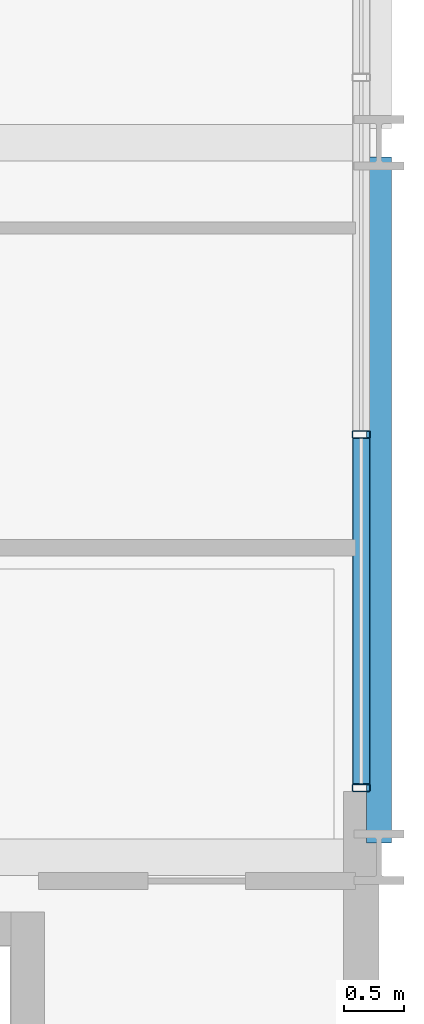
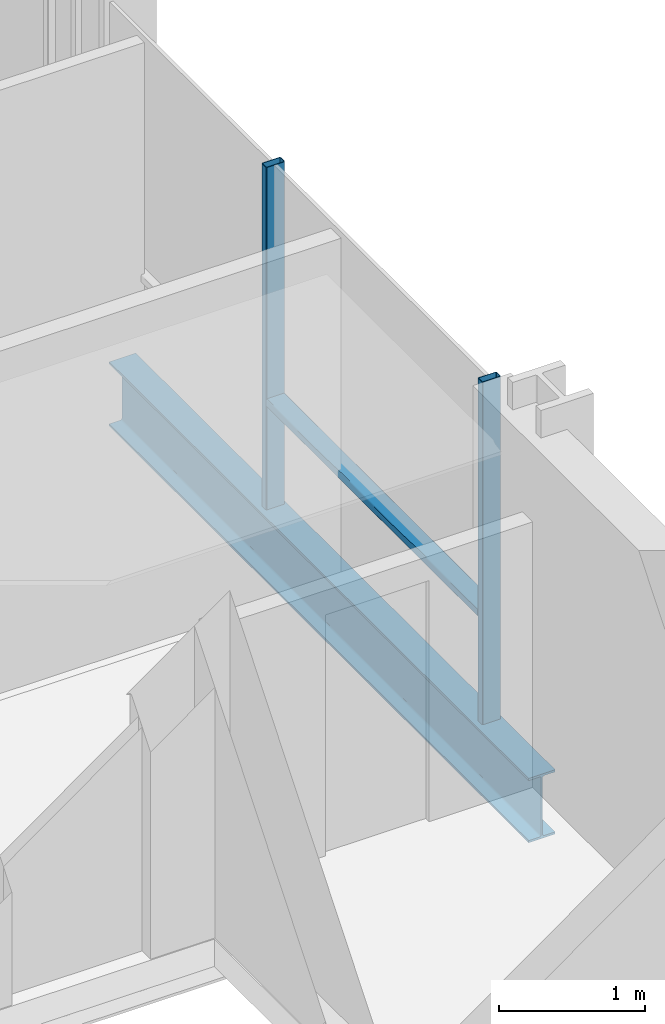
# One storey, part 15 of 41: 3 members, 1 beam, 1 element without a shape of its own.
"""IFC4 building model written with IfcOpenShell, lengths in metres."""

from ifc_helpers import new_model, si_unit, direction, frame, origin, origin_2d, place, context, subcontext, project, spatial, hollow_rectangle, i_section, extrude, material, layer, layer_set, material_profile, profile_set, type_object, element, aggregate, save


model = new_model("IFC4")

# Units and contexts
model_context = context("Model", 3, precision=1e-05, world=origin(), true_north=direction((0.0, 1.0)))
body_context = subcontext(model_context, "Body", "Model", "MODEL_VIEW")
ifc_project = project(units=[si_unit("LENGTHUNIT", "METRE"), si_unit("AREAUNIT", "SQUARE_METRE"), si_unit("VOLUMEUNIT", "CUBIC_METRE"), si_unit("PLANEANGLEUNIT", "RADIAN"), si_unit("MASSUNIT", "GRAM", prefix="KILO")], contexts=[model_context])

# Site, building, storey
site_placement = place(None, origin())
site = spatial("IfcSite", under=ifc_project, at=site_placement, CompositionType="ELEMENT")
building_placement = place(site_placement, origin())
building = spatial("IfcBuilding", under=site, at=building_placement, Name="Brevholm Reach", CompositionType="ELEMENT")
storey_placement = place(building_placement, frame((0.0, 0.0, 74.5)))
storey = spatial("IfcBuildingStorey", under=building, at=storey_placement, Name="L21", CompositionType="ELEMENT", Elevation=74.5)

# Beam
ifc_material_1 = material(Name="Structural Steel S355J2", Category="steel")
ifc_material_profile_1 = material_profile(ifc_material_1, i_section(OverallWidth=0.210693359375, OverallDepth=0.53955078125, WebThickness=0.01171875, FlangeThickness=0.018798828125, FilletRadius=0.0126953125, at=origin_2d()), Name="UKB 533x210x109")
ifc_profile_set_1 = profile_set([ifc_material_profile_1], Name="Structural Steel S355J2")
beam_type = type_object("IfcBeamType", Name="BM-SP539", PredefinedType="SPANDREL", material=ifc_profile_set_1)
beam_placement = place(storey_placement, frame((60.0, 10.1201171875, -0.499755859375), z_axis=(0.0, 1.0, 0.0), x_axis=(-1.0, 0.0, 0.0)))
element("IfcBeam", 1, at=beam_placement, inside=storey, type_object=beam_type, Name="L21 SP-01B Framing Beam", PredefinedType="SPANDREL", context=body_context, shape_type="SweptSolid", body=[
    extrude(i_section(OverallWidth=0.210693359375, OverallDepth=0.53955078125, WebThickness=0.01171875, FlangeThickness=0.018798828125, FilletRadius=0.0126953125, at=origin_2d()), origin(), (0.0, 0.0, 1.0), 5.759765625),
])

# Curtain wall, members
ifc_material_2 = material(Name="Dark Anodised Aluminium 6063-T6 and Solar-Control Glass", Category="aluminium")
ifc_layer = layer(ifc_material_2, 0.14990234375)
ifc_layer_set = layer_set([ifc_layer], Name="Dark Anodised Aluminium 6063-T6 and Solar-Control Glass")
curtain_wall_type = type_object("IfcCurtainWallType", Name="CW-01", PredefinedType="NOTDEFINED", material=ifc_layer_set)
curtain_wall_placement = place(storey_placement, origin())
curtain_wall = element("IfcCurtainWall", 2, at=curtain_wall_placement, inside=storey, type_object=curtain_wall_type, Name="L21 Curtain Wall CW-01", PredefinedType="NOTDEFINED")
ifc_material_3 = material(Name="Dark Anodised Aluminium 6063-T6", Category="aluminium")
ifc_material_profile_2 = material_profile(ifc_material_3, hollow_rectangle(XDim=0.06494140625, YDim=0.14990234375, WallThickness=0.0048828125, InnerFilletRadius=0.0048828125, OuterFilletRadius=0.010009765625, at=origin_2d()), Name="RHS 150x65x5")
ifc_profile_set_2 = profile_set([ifc_material_profile_2], Name="Dark Anodised Aluminium 6063-T6")
member_type_1 = type_object("IfcMemberType", Name="CWM-150", PredefinedType="MULLION", material=ifc_profile_set_2)
member_1_placement = place(storey_placement, frame((59.85009765625, 10.58251953125, 0.0), z_axis=(0.0, 0.0, 1.0), x_axis=(0.0, 1.0, 0.0)))
member_1 = element("IfcMember", 3, at=member_1_placement, type_object=member_type_1, Name="CM-150 Mullion 1", PredefinedType="MULLION", context=body_context, shape_type="SweptSolid", body=[
    extrude(hollow_rectangle(XDim=0.06494140625, YDim=0.14990234375, WallThickness=0.0048828125, InnerFilletRadius=0.0048828125, OuterFilletRadius=0.010009765625, at=origin_2d()), origin(), (0.0, 0.0, 1.0), 2.8701171875),
])
member_2_placement = place(storey_placement, frame((59.85009765625, 13.550048828125, 0.0), z_axis=(0.0, 0.0, 1.0), x_axis=(0.0, 1.0, 0.0)))
member_2 = element("IfcMember", 4, at=member_2_placement, type_object=member_type_1, Name="CM-150 Mullion 2", PredefinedType="MULLION", context=body_context, shape_type="SweptSolid", body=[
    extrude(hollow_rectangle(XDim=0.06494140625, YDim=0.14990234375, WallThickness=0.0048828125, InnerFilletRadius=0.0048828125, OuterFilletRadius=0.010009765625, at=origin_2d()), origin(), (0.0, 0.0, 1.0), 2.8701171875),
])
ifc_material_4 = material(Name="Dark Anodised Aluminium 6063-T6", Category="aluminium")
ifc_material_profile_3 = material_profile(ifc_material_4, hollow_rectangle(XDim=0.06494140625, YDim=0.14990234375, WallThickness=0.0048828125, InnerFilletRadius=0.0048828125, OuterFilletRadius=0.010009765625, at=origin_2d()), Name="RHS 150x65x5")
ifc_profile_set_3 = profile_set([ifc_material_profile_3], Name="Dark Anodised Aluminium 6063-T6")
member_type_2 = type_object("IfcMemberType", Name="CWT-150", PredefinedType="NOTDEFINED", material=ifc_profile_set_3)
member_3_placement = place(storey_placement, frame((59.85009765625, 10.614990234375, 0.89990234375), z_axis=(0.0, 1.0, 0.0), x_axis=(0.0, 0.0, 1.0)))
member_3 = element("IfcMember", 5, at=member_3_placement, type_object=member_type_2, Name="CT-150 Transom 1.1", ObjectType="TRANSOM", PredefinedType="USERDEFINED", context=body_context, shape_type="SweptSolid", body=[
    extrude(hollow_rectangle(XDim=0.06494140625, YDim=0.14990234375, WallThickness=0.0048828125, InnerFilletRadius=0.0048828125, OuterFilletRadius=0.010009765625, at=origin_2d()), origin(), (0.0, 0.0, 1.0), 2.902587890625),
])
aggregate(curtain_wall, [member_1, member_2, member_3])

save(model, "model.ifc")
